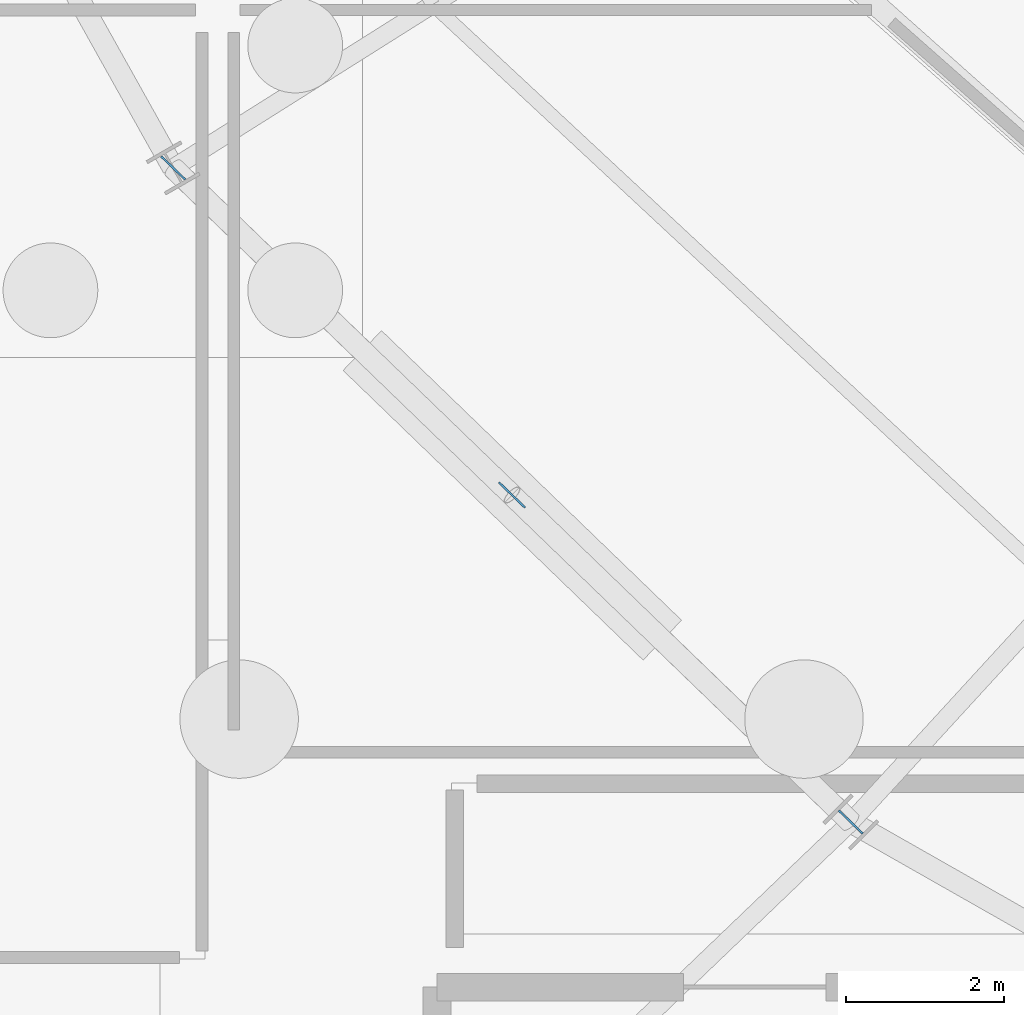
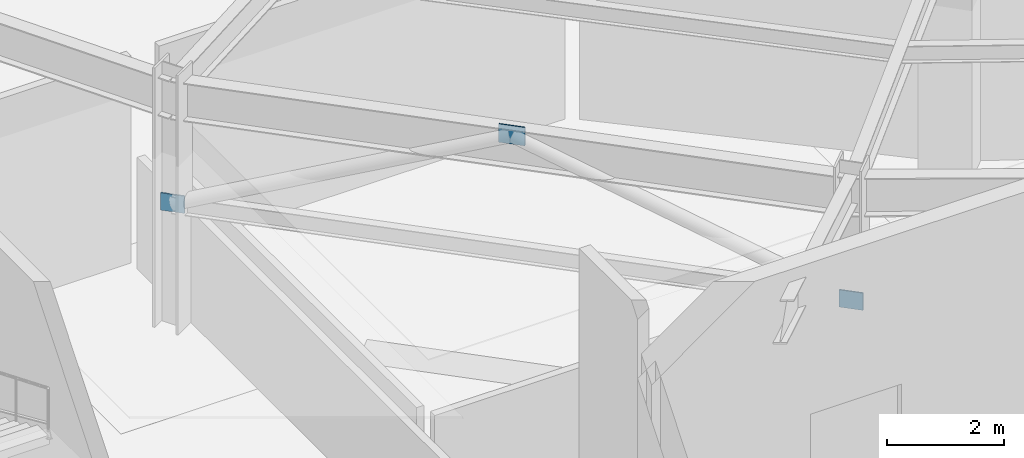
# One storey, part 42 of 93: 3 plates.
"""IFC4 building model written with IfcOpenShell, lengths in metres."""

from ifc_helpers import new_model, si_unit, direction, frame, origin, origin_2d, place, context, subcontext, project, spatial, rectangle, extrude, material, layer, layer_set, type_object, element, save


model = new_model("IFC4")

# Units and contexts
model_context = context("Model", 3, precision=1e-05, world=origin(), true_north=direction((0.0, 1.0)))
body_context = subcontext(model_context, "Body", "Model", "MODEL_VIEW")
ifc_project = project(units=[si_unit("LENGTHUNIT", "METRE"), si_unit("AREAUNIT", "SQUARE_METRE"), si_unit("VOLUMEUNIT", "CUBIC_METRE"), si_unit("PLANEANGLEUNIT", "RADIAN"), si_unit("MASSUNIT", "GRAM", prefix="KILO")], contexts=[model_context])

# Site, building, storey
site_placement = place(None, origin())
site = spatial("IfcSite", under=ifc_project, at=site_placement, CompositionType="ELEMENT")
building_placement = place(site_placement, origin())
building = spatial("IfcBuilding", under=site, at=building_placement, Name="Kalgoora Escarpment Arena", CompositionType="ELEMENT")
storey_placement = place(building_placement, origin())
storey = spatial("IfcBuildingStorey", under=building, at=storey_placement, Name="L00", CompositionType="ELEMENT", Elevation=0.0)

# Plates
ifc_material = material(Name="Structural steel Grade 350 (350 MPa)", Category="steel")
ifc_layer = layer(ifc_material, 0.02490234375)
ifc_layer_set = layer_set([ifc_layer], Name="PLT-GUSSET-25")
plate_type = type_object("IfcPlateType", Name="PLT-GUSSET-25", PredefinedType="USERDEFINED", material=ifc_layer_set)
plate_placement = place(storey_placement, frame((49.92529296875, 39.85791015625, 4.760009765625), z_axis=(0.0, 0.0, 1.0), x_axis=(0.719461030139, -0.6945328114, 0.0)))
element("IfcPlate", 1, at=plate_placement, inside=storey, type_object=plate_type, Name="L00 chevron gusset cap plate R15", ObjectType="FLANGE PLATE", PredefinedType="USERDEFINED", context=body_context, shape_type="SweptSolid", body=[
    extrude(rectangle(XDim=0.4599609375, YDim=0.02490234375, at=origin_2d()), origin(), (0.0, 0.0, 1.0), 0.3798828125),
])
for number, where, z_axis, x_axis, name in (
    (2, (45.634521484375, 44.0, 2.33984375), (0.0, 0.0, 1.0), (0.719339800339, -0.694658370459, 0.0), "Brace and post end gusset plate 005"),
    (3, (54.21630859375, 35.7158203125, 2.33984375), (0.0, 0.0, 1.0), (-0.719339800339, 0.694658370459, 0.0), "Brace and post end gusset plate 006"),
):
    element("IfcPlate", number, at=place(storey_placement, frame(where, z_axis=z_axis, x_axis=x_axis)), inside=storey, type_object=plate_type, Name=name, ObjectType="FLANGE PLATE", PredefinedType="USERDEFINED", context=body_context, shape_type="SweptSolid", body=[
        extrude(rectangle(XDim=0.419921875, YDim=0.02490234375, at=origin_2d()), origin(), (0.0, 0.0, 1.0), 0.360107421875),
    ])

save(model, "model.ifc")
